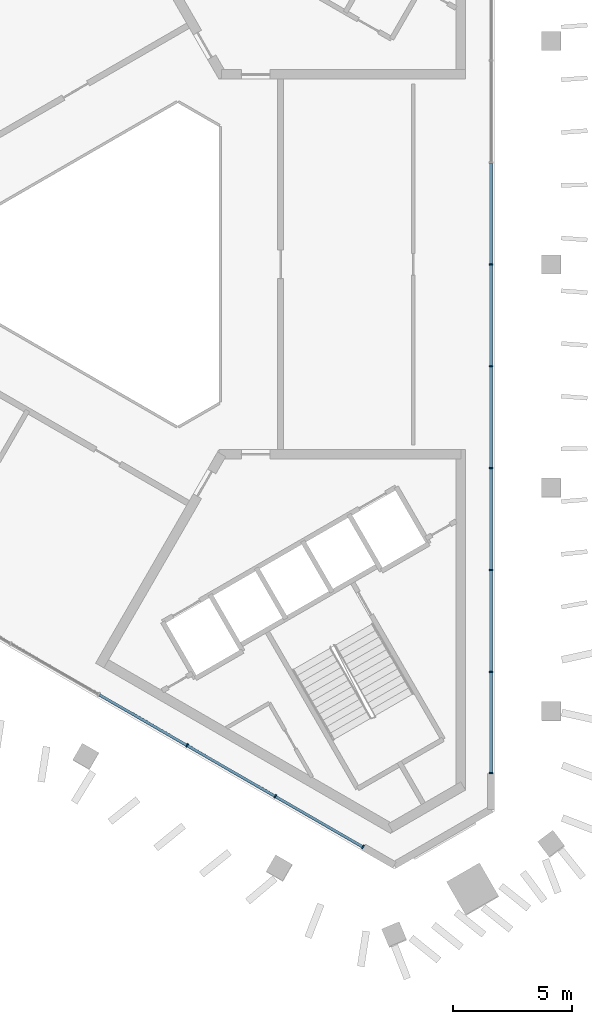
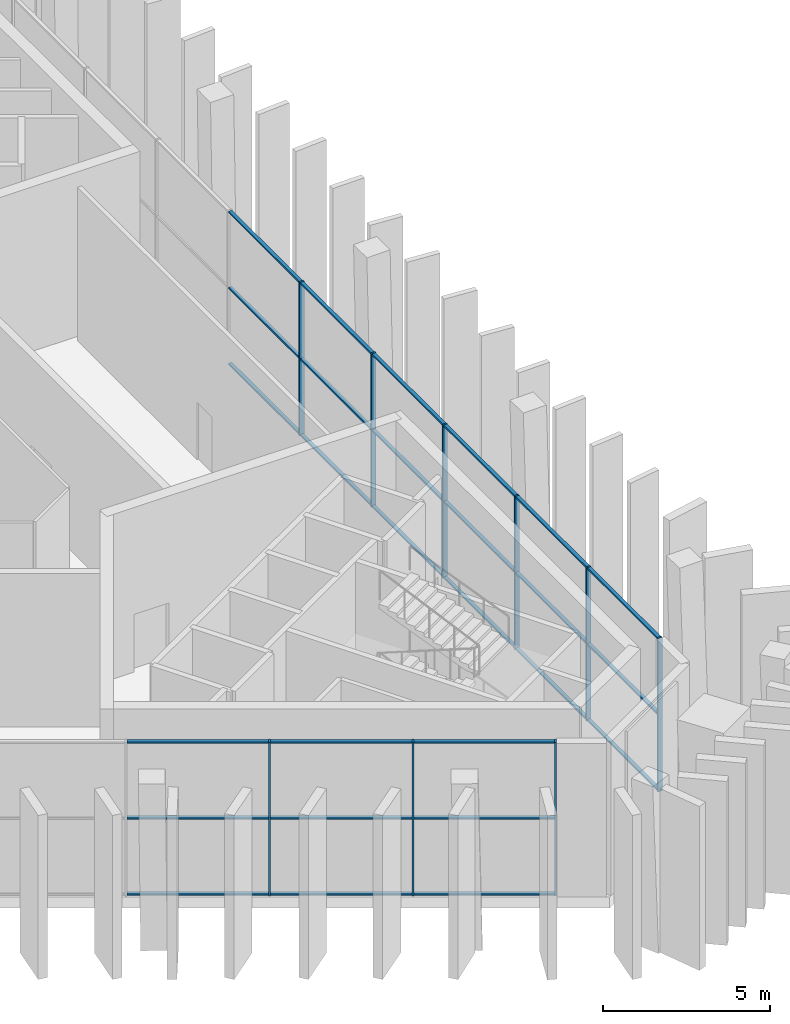
# One storey, part 3 of 12: 36 members, 2 elements without a shape of their own.
"""IFC4 building model written with IfcOpenShell, lengths in metres."""

from ifc_helpers import new_model, si_unit, direction, frame, origin, origin_2d, place, context, subcontext, project, spatial, rectangle, extrude, material, layer, layer_set, material_profile, profile_set, type_object, element, aggregate, save


model = new_model("IFC4")

# Units and contexts
model_context = context("Model", 3, precision=1e-05, world=origin(), true_north=direction((0.0, 1.0)))
body_context = subcontext(model_context, "Body", "Model", "MODEL_VIEW")
ifc_project = project(units=[si_unit("LENGTHUNIT", "METRE"), si_unit("AREAUNIT", "SQUARE_METRE"), si_unit("VOLUMEUNIT", "CUBIC_METRE"), si_unit("PLANEANGLEUNIT", "RADIAN"), si_unit("MASSUNIT", "GRAM", prefix="KILO")], contexts=[model_context])

# Site, building, storey
site_placement = place(None, origin())
site = spatial("IfcSite", under=ifc_project, at=site_placement, CompositionType="ELEMENT")
building_placement = place(site_placement, origin())
building = spatial("IfcBuilding", under=site, at=building_placement, Name="Jabali Bay Hotel Tower and Convention Centre", CompositionType="ELEMENT")
storey_placement = place(building_placement, frame((0.0, 0.0, 304.800048828125)))
storey = spatial("IfcBuildingStorey", under=building, at=storey_placement, Name="L75", CompositionType="ELEMENT", Elevation=304.800048828125)

# Curtain wall, members
ifc_material_1 = material(Name="Aluminium and glass", Category="aluminium")
ifc_layer = layer(ifc_material_1, 0.159912109375)
ifc_layer_set = layer_set([ifc_layer], Name="Aluminium and glass")
curtain_wall_type = type_object("IfcCurtainWallType", Name="CW3 curtain wall", PredefinedType="NOTDEFINED", material=ifc_layer_set)
curtain_wall_1_placement = place(storey_placement, origin())
curtain_wall_1 = element("IfcCurtainWall", 1, at=curtain_wall_1_placement, inside=storey, type_object=curtain_wall_type, Name="CW3 curtain wall east face L75", PredefinedType="NOTDEFINED")
ifc_material_2 = material(Name="Aluminium", Category="aluminium")
ifc_material_profile_1 = material_profile(ifc_material_2, rectangle(XDim=0.159912109375, YDim=0.06005859375, at=origin_2d()), Name="CW3 mullion 60 x 160")
ifc_profile_set_1 = profile_set([ifc_material_profile_1], Name="Aluminium")
member_type_1 = type_object("IfcMemberType", Name="CW3 mullion 60 x 160", PredefinedType="MULLION", material=ifc_profile_set_1)
member_1_placement = place(storey_placement, frame((90.9521484375, 80.0, 0.0), z_axis=(0.0, 0.0, 1.0), x_axis=(1.0, 0.0, 0.0)))
member_1 = element("IfcMember", 2, at=member_1_placement, type_object=member_type_1, Name="CW3 mullion 6", PredefinedType="MULLION", context=body_context, shape_type="SweptSolid", body=[
    extrude(rectangle(XDim=0.159912109375, YDim=0.06005859375, at=origin_2d()), origin(), (0.0, 0.0, 1.0), 5.599853515625),
])
member_2_placement = place(storey_placement, frame((90.9521484375, 75.71240234375, 0.0), z_axis=(0.0, 0.0, 1.0), x_axis=(1.0, 0.0, 0.0)))
member_2 = element("IfcMember", 3, at=member_2_placement, type_object=member_type_1, Name="CW3 mullion 7", PredefinedType="MULLION", context=body_context, shape_type="SweptSolid", body=[
    extrude(rectangle(XDim=0.159912109375, YDim=0.06005859375, at=origin_2d()), origin(), (0.0, 0.0, 1.0), 5.599853515625),
])
member_3_placement = place(storey_placement, frame((90.9521484375, 71.425048828125, 0.0), z_axis=(0.0, 0.0, 1.0), x_axis=(1.0, 0.0, 0.0)))
member_3 = element("IfcMember", 4, at=member_3_placement, type_object=member_type_1, Name="CW3 mullion 8", PredefinedType="MULLION", context=body_context, shape_type="SweptSolid", body=[
    extrude(rectangle(XDim=0.159912109375, YDim=0.06005859375, at=origin_2d()), origin(), (0.0, 0.0, 1.0), 5.599853515625),
])
member_4_placement = place(storey_placement, frame((90.9521484375, 67.137451171875, 0.0), z_axis=(0.0, 0.0, 1.0), x_axis=(1.0, 0.0, 0.0)))
member_4 = element("IfcMember", 5, at=member_4_placement, type_object=member_type_1, Name="CW3 mullion 9", PredefinedType="MULLION", context=body_context, shape_type="SweptSolid", body=[
    extrude(rectangle(XDim=0.159912109375, YDim=0.06005859375, at=origin_2d()), origin(), (0.0, 0.0, 1.0), 5.599853515625),
])
member_5_placement = place(storey_placement, frame((90.9521484375, 62.849853515625, 0.0), z_axis=(0.0, 0.0, 1.0), x_axis=(1.0, 0.0, 0.0)))
member_5 = element("IfcMember", 6, at=member_5_placement, type_object=member_type_1, Name="CW3 mullion 10", PredefinedType="MULLION", context=body_context, shape_type="SweptSolid", body=[
    extrude(rectangle(XDim=0.159912109375, YDim=0.06005859375, at=origin_2d()), origin(), (0.0, 0.0, 1.0), 5.599853515625),
])
member_6_placement = place(storey_placement, frame((90.9521484375, 58.592529296875, 0.0), z_axis=(0.0, 0.0, 1.0), x_axis=(1.0, 0.0, 0.0)))
member_6 = element("IfcMember", 7, at=member_6_placement, type_object=member_type_1, Name="CW3 mullion 11", PredefinedType="MULLION", context=body_context, shape_type="SweptSolid", body=[
    extrude(rectangle(XDim=0.159912109375, YDim=0.06005859375, at=origin_2d()), origin(), (0.0, 0.0, 1.0), 5.599853515625),
])

curtain_wall_2_placement = place(storey_placement, origin())
curtain_wall_2 = element("IfcCurtainWall", 8, at=curtain_wall_2_placement, inside=storey, type_object=curtain_wall_type, Name="CW3 curtain wall south-west face L75", PredefinedType="NOTDEFINED")
member_7_placement = place(storey_placement, frame((85.5634765625, 55.481201171875, 0.0), z_axis=(0.0, 0.0, 1.0), x_axis=(-0.500000013347, -0.866025396079, 0.0)))
member_7 = element("IfcMember", 9, at=member_7_placement, type_object=member_type_1, Name="CW3 mullion 1", PredefinedType="MULLION", context=body_context, shape_type="SweptSolid", body=[
    extrude(rectangle(XDim=0.159912109375, YDim=0.06005859375, at=origin_2d()), origin(), (0.0, 0.0, 1.0), 5.599853515625),
])
member_8_placement = place(storey_placement, frame((81.87646484375, 57.610107421875, 0.0), z_axis=(0.0, 0.0, 1.0), x_axis=(-0.500000013347, -0.866025396079, 0.0)))
member_8 = element("IfcMember", 10, at=member_8_placement, type_object=member_type_1, Name="CW3 mullion 2", PredefinedType="MULLION", context=body_context, shape_type="SweptSolid", body=[
    extrude(rectangle(XDim=0.159912109375, YDim=0.06005859375, at=origin_2d()), origin(), (0.0, 0.0, 1.0), 5.599853515625),
])
member_9_placement = place(storey_placement, frame((78.163330078125, 59.75390625, 0.0), z_axis=(0.0, 0.0, 1.0), x_axis=(-0.500000013347, -0.866025396079, 0.0)))
member_9 = element("IfcMember", 11, at=member_9_placement, type_object=member_type_1, Name="CW3 mullion 3", PredefinedType="MULLION", context=body_context, shape_type="SweptSolid", body=[
    extrude(rectangle(XDim=0.159912109375, YDim=0.06005859375, at=origin_2d()), origin(), (0.0, 0.0, 1.0), 5.599853515625),
])

# Member
ifc_material_profile_2 = material_profile(ifc_material_2, rectangle(XDim=0.1201171875, YDim=0.06005859375, at=origin_2d()), Name="CW3 transom 60 x 120")
ifc_profile_set_2 = profile_set([ifc_material_profile_2], Name="Aluminium")
member_type_2 = type_object("IfcMemberType", Name="CW3 transom 60 x 120", PredefinedType="USERDEFINED", material=ifc_profile_set_2)
member_10_placement = place(storey_placement, frame((90.9521484375, 84.257568359375, 0.030029296875), z_axis=(0.0, -1.0, 0.0), x_axis=(1.0, 0.0, 0.0)))
member_10 = element("IfcMember", 12, at=member_10_placement, type_object=member_type_2, Name="CW3 transom 5.1", ObjectType="TRANSOM", PredefinedType="USERDEFINED", context=body_context, shape_type="SweptSolid", body=[
    extrude(rectangle(XDim=0.1201171875, YDim=0.06005859375, at=origin_2d()), origin(), (0.0, 0.0, 1.0), 4.2275390625),
])

member_11_placement = place(storey_placement, frame((90.9521484375, 84.257568359375, 2.800048828125), z_axis=(0.0, -1.0, 0.0), x_axis=(1.0, 0.0, 0.0)))
member_11 = element("IfcMember", 13, at=member_11_placement, type_object=member_type_2, Name="CW3 transom 5.2", ObjectType="TRANSOM", PredefinedType="USERDEFINED", context=body_context, shape_type="SweptSolid", body=[
    extrude(rectangle(XDim=0.1201171875, YDim=0.06005859375, at=origin_2d()), origin(), (0.0, 0.0, 1.0), 4.2275390625),
])

member_12_placement = place(storey_placement, frame((90.9521484375, 84.257568359375, 5.570068359375), z_axis=(0.0, -1.0, 0.0), x_axis=(1.0, 0.0, 0.0)))
member_12 = element("IfcMember", 14, at=member_12_placement, type_object=member_type_2, Name="CW3 transom 5.3", ObjectType="TRANSOM", PredefinedType="USERDEFINED", context=body_context, shape_type="SweptSolid", body=[
    extrude(rectangle(XDim=0.1201171875, YDim=0.06005859375, at=origin_2d()), origin(), (0.0, 0.0, 1.0), 4.2275390625),
])

member_13_placement = place(storey_placement, frame((90.9521484375, 79.969970703125, 0.030029296875), z_axis=(0.0, -1.0, 0.0), x_axis=(1.0, 0.0, 0.0)))
member_13 = element("IfcMember", 15, at=member_13_placement, type_object=member_type_2, Name="CW3 transom 6.1", ObjectType="TRANSOM", PredefinedType="USERDEFINED", context=body_context, shape_type="SweptSolid", body=[
    extrude(rectangle(XDim=0.1201171875, YDim=0.06005859375, at=origin_2d()), origin(), (0.0, 0.0, 1.0), 4.2275390625),
])

member_14_placement = place(storey_placement, frame((90.9521484375, 79.969970703125, 2.800048828125), z_axis=(0.0, -1.0, 0.0), x_axis=(1.0, 0.0, 0.0)))
member_14 = element("IfcMember", 16, at=member_14_placement, type_object=member_type_2, Name="CW3 transom 6.2", ObjectType="TRANSOM", PredefinedType="USERDEFINED", context=body_context, shape_type="SweptSolid", body=[
    extrude(rectangle(XDim=0.1201171875, YDim=0.06005859375, at=origin_2d()), origin(), (0.0, 0.0, 1.0), 4.2275390625),
])

member_15_placement = place(storey_placement, frame((90.9521484375, 79.969970703125, 5.570068359375), z_axis=(0.0, -1.0, 0.0), x_axis=(1.0, 0.0, 0.0)))
member_15 = element("IfcMember", 17, at=member_15_placement, type_object=member_type_2, Name="CW3 transom 6.3", ObjectType="TRANSOM", PredefinedType="USERDEFINED", context=body_context, shape_type="SweptSolid", body=[
    extrude(rectangle(XDim=0.1201171875, YDim=0.06005859375, at=origin_2d()), origin(), (0.0, 0.0, 1.0), 4.2275390625),
])

member_16_placement = place(storey_placement, frame((90.9521484375, 75.682373046875, 0.030029296875), z_axis=(0.0, -1.0, 0.0), x_axis=(1.0, 0.0, 0.0)))
member_16 = element("IfcMember", 18, at=member_16_placement, type_object=member_type_2, Name="CW3 transom 7.1", ObjectType="TRANSOM", PredefinedType="USERDEFINED", context=body_context, shape_type="SweptSolid", body=[
    extrude(rectangle(XDim=0.1201171875, YDim=0.06005859375, at=origin_2d()), origin(), (0.0, 0.0, 1.0), 4.227294921875),
])

member_17_placement = place(storey_placement, frame((90.9521484375, 75.682373046875, 2.800048828125), z_axis=(0.0, -1.0, 0.0), x_axis=(1.0, 0.0, 0.0)))
member_17 = element("IfcMember", 19, at=member_17_placement, type_object=member_type_2, Name="CW3 transom 7.2", ObjectType="TRANSOM", PredefinedType="USERDEFINED", context=body_context, shape_type="SweptSolid", body=[
    extrude(rectangle(XDim=0.1201171875, YDim=0.06005859375, at=origin_2d()), origin(), (0.0, 0.0, 1.0), 4.227294921875),
])

member_18_placement = place(storey_placement, frame((90.9521484375, 75.682373046875, 5.570068359375), z_axis=(0.0, -1.0, 0.0), x_axis=(1.0, 0.0, 0.0)))
member_18 = element("IfcMember", 20, at=member_18_placement, type_object=member_type_2, Name="CW3 transom 7.3", ObjectType="TRANSOM", PredefinedType="USERDEFINED", context=body_context, shape_type="SweptSolid", body=[
    extrude(rectangle(XDim=0.1201171875, YDim=0.06005859375, at=origin_2d()), origin(), (0.0, 0.0, 1.0), 4.227294921875),
])

member_19_placement = place(storey_placement, frame((90.9521484375, 71.39501953125, 0.030029296875), z_axis=(0.0, -1.0, 0.0), x_axis=(1.0, 0.0, 0.0)))
member_19 = element("IfcMember", 21, at=member_19_placement, type_object=member_type_2, Name="CW3 transom 8.1", ObjectType="TRANSOM", PredefinedType="USERDEFINED", context=body_context, shape_type="SweptSolid", body=[
    extrude(rectangle(XDim=0.1201171875, YDim=0.06005859375, at=origin_2d()), origin(), (0.0, 0.0, 1.0), 4.2275390625),
])

member_20_placement = place(storey_placement, frame((90.9521484375, 71.39501953125, 2.800048828125), z_axis=(0.0, -1.0, 0.0), x_axis=(1.0, 0.0, 0.0)))
member_20 = element("IfcMember", 22, at=member_20_placement, type_object=member_type_2, Name="CW3 transom 8.2", ObjectType="TRANSOM", PredefinedType="USERDEFINED", context=body_context, shape_type="SweptSolid", body=[
    extrude(rectangle(XDim=0.1201171875, YDim=0.06005859375, at=origin_2d()), origin(), (0.0, 0.0, 1.0), 4.2275390625),
])

member_21_placement = place(storey_placement, frame((90.9521484375, 71.39501953125, 5.570068359375), z_axis=(0.0, -1.0, 0.0), x_axis=(1.0, 0.0, 0.0)))
member_21 = element("IfcMember", 23, at=member_21_placement, type_object=member_type_2, Name="CW3 transom 8.3", ObjectType="TRANSOM", PredefinedType="USERDEFINED", context=body_context, shape_type="SweptSolid", body=[
    extrude(rectangle(XDim=0.1201171875, YDim=0.06005859375, at=origin_2d()), origin(), (0.0, 0.0, 1.0), 4.2275390625),
])

member_22_placement = place(storey_placement, frame((90.9521484375, 67.107421875, 0.030029296875), z_axis=(0.0, -1.0, 0.0), x_axis=(1.0, 0.0, 0.0)))
member_22 = element("IfcMember", 24, at=member_22_placement, type_object=member_type_2, Name="CW3 transom 9.1", ObjectType="TRANSOM", PredefinedType="USERDEFINED", context=body_context, shape_type="SweptSolid", body=[
    extrude(rectangle(XDim=0.1201171875, YDim=0.06005859375, at=origin_2d()), origin(), (0.0, 0.0, 1.0), 4.2275390625),
])

member_23_placement = place(storey_placement, frame((90.9521484375, 67.107421875, 2.800048828125), z_axis=(0.0, -1.0, 0.0), x_axis=(1.0, 0.0, 0.0)))
member_23 = element("IfcMember", 25, at=member_23_placement, type_object=member_type_2, Name="CW3 transom 9.2", ObjectType="TRANSOM", PredefinedType="USERDEFINED", context=body_context, shape_type="SweptSolid", body=[
    extrude(rectangle(XDim=0.1201171875, YDim=0.06005859375, at=origin_2d()), origin(), (0.0, 0.0, 1.0), 4.2275390625),
])

member_24_placement = place(storey_placement, frame((90.9521484375, 67.107421875, 5.570068359375), z_axis=(0.0, -1.0, 0.0), x_axis=(1.0, 0.0, 0.0)))
member_24 = element("IfcMember", 26, at=member_24_placement, type_object=member_type_2, Name="CW3 transom 9.3", ObjectType="TRANSOM", PredefinedType="USERDEFINED", context=body_context, shape_type="SweptSolid", body=[
    extrude(rectangle(XDim=0.1201171875, YDim=0.06005859375, at=origin_2d()), origin(), (0.0, 0.0, 1.0), 4.2275390625),
])

member_25_placement = place(storey_placement, frame((90.9521484375, 62.81982421875, 0.030029296875), z_axis=(0.0, -1.0, 0.0), x_axis=(1.0, 0.0, 0.0)))
member_25 = element("IfcMember", 27, at=member_25_placement, type_object=member_type_2, Name="CW3 transom 10.1", ObjectType="TRANSOM", PredefinedType="USERDEFINED", context=body_context, shape_type="SweptSolid", body=[
    extrude(rectangle(XDim=0.1201171875, YDim=0.06005859375, at=origin_2d()), origin(), (0.0, 0.0, 1.0), 4.197509765625),
])

member_26_placement = place(storey_placement, frame((90.9521484375, 62.81982421875, 2.800048828125), z_axis=(0.0, -1.0, 0.0), x_axis=(1.0, 0.0, 0.0)))
member_26 = element("IfcMember", 28, at=member_26_placement, type_object=member_type_2, Name="CW3 transom 10.2", ObjectType="TRANSOM", PredefinedType="USERDEFINED", context=body_context, shape_type="SweptSolid", body=[
    extrude(rectangle(XDim=0.1201171875, YDim=0.06005859375, at=origin_2d()), origin(), (0.0, 0.0, 1.0), 4.197509765625),
])

member_27_placement = place(storey_placement, frame((90.9521484375, 62.81982421875, 5.570068359375), z_axis=(0.0, -1.0, 0.0), x_axis=(1.0, 0.0, 0.0)))
member_27 = element("IfcMember", 29, at=member_27_placement, type_object=member_type_2, Name="CW3 transom 10.3", ObjectType="TRANSOM", PredefinedType="USERDEFINED", context=body_context, shape_type="SweptSolid", body=[
    extrude(rectangle(XDim=0.1201171875, YDim=0.06005859375, at=origin_2d()), origin(), (0.0, 0.0, 1.0), 4.197509765625),
])

aggregate(curtain_wall_1, [member_1, member_2, member_3, member_4, member_5, member_6, member_10, member_11, member_12, member_13, member_14, member_15, member_16, member_17, member_18, member_19, member_20, member_21, member_22, member_23, member_24, member_25, member_26, member_27])

member_28_placement = place(storey_placement, frame((85.53759765625, 55.496337890625, 0.030029296875), z_axis=(-0.866044178973, 0.499967479009, 0.0), x_axis=(-0.499967479009, -0.866044178973, 0.0)))
member_28 = element("IfcMember", 30, at=member_28_placement, type_object=member_type_2, Name="CW3 transom 1.1", ObjectType="TRANSOM", PredefinedType="USERDEFINED", context=body_context, shape_type="SweptSolid", body=[
    extrude(rectangle(XDim=0.1201171875, YDim=0.06005859375, at=origin_2d()), origin(), (0.0, 0.0, 1.0), 4.197509765625),
])

member_29_placement = place(storey_placement, frame((85.53759765625, 55.496337890625, 2.800048828125), z_axis=(-0.866044178973, 0.499967479009, 0.0), x_axis=(-0.499967479009, -0.866044178973, 0.0)))
member_29 = element("IfcMember", 31, at=member_29_placement, type_object=member_type_2, Name="CW3 transom 1.2", ObjectType="TRANSOM", PredefinedType="USERDEFINED", context=body_context, shape_type="SweptSolid", body=[
    extrude(rectangle(XDim=0.1201171875, YDim=0.06005859375, at=origin_2d()), origin(), (0.0, 0.0, 1.0), 4.197509765625),
])

member_30_placement = place(storey_placement, frame((85.53759765625, 55.496337890625, 5.570068359375), z_axis=(-0.866044178973, 0.499967479009, 0.0), x_axis=(-0.499967479009, -0.866044178973, 0.0)))
member_30 = element("IfcMember", 32, at=member_30_placement, type_object=member_type_2, Name="CW3 transom 1.3", ObjectType="TRANSOM", PredefinedType="USERDEFINED", context=body_context, shape_type="SweptSolid", body=[
    extrude(rectangle(XDim=0.1201171875, YDim=0.06005859375, at=origin_2d()), origin(), (0.0, 0.0, 1.0), 4.197509765625),
])

member_31_placement = place(storey_placement, frame((81.850341796875, 57.625, 0.030029296875), z_axis=(-0.866024019333, 0.500002397932, 0.0), x_axis=(-0.500002397932, -0.866024019333, 0.0)))
member_31 = element("IfcMember", 33, at=member_31_placement, type_object=member_type_2, Name="CW3 transom 2.1", ObjectType="TRANSOM", PredefinedType="USERDEFINED", context=body_context, shape_type="SweptSolid", body=[
    extrude(rectangle(XDim=0.1201171875, YDim=0.06005859375, at=origin_2d()), origin(), (0.0, 0.0, 1.0), 4.2275390625),
])

member_32_placement = place(storey_placement, frame((81.850341796875, 57.625, 2.800048828125), z_axis=(-0.866024019333, 0.500002397932, 0.0), x_axis=(-0.500002397932, -0.866024019333, 0.0)))
member_32 = element("IfcMember", 34, at=member_32_placement, type_object=member_type_2, Name="CW3 transom 2.2", ObjectType="TRANSOM", PredefinedType="USERDEFINED", context=body_context, shape_type="SweptSolid", body=[
    extrude(rectangle(XDim=0.1201171875, YDim=0.06005859375, at=origin_2d()), origin(), (0.0, 0.0, 1.0), 4.2275390625),
])

member_33_placement = place(storey_placement, frame((81.850341796875, 57.625, 5.570068359375), z_axis=(-0.866024019333, 0.500002397932, 0.0), x_axis=(-0.500002397932, -0.866024019333, 0.0)))
member_33 = element("IfcMember", 35, at=member_33_placement, type_object=member_type_2, Name="CW3 transom 2.3", ObjectType="TRANSOM", PredefinedType="USERDEFINED", context=body_context, shape_type="SweptSolid", body=[
    extrude(rectangle(XDim=0.1201171875, YDim=0.06005859375, at=origin_2d()), origin(), (0.0, 0.0, 1.0), 4.2275390625),
])

member_34_placement = place(storey_placement, frame((78.13720703125, 59.768798828125, 0.030029296875), z_axis=(-0.866024019333, 0.500002397932, 0.0), x_axis=(-0.500002397932, -0.866024019333, 0.0)))
member_34 = element("IfcMember", 36, at=member_34_placement, type_object=member_type_2, Name="CW3 transom 3.1", ObjectType="TRANSOM", PredefinedType="USERDEFINED", context=body_context, shape_type="SweptSolid", body=[
    extrude(rectangle(XDim=0.1201171875, YDim=0.06005859375, at=origin_2d()), origin(), (0.0, 0.0, 1.0), 4.2275390625),
])

member_35_placement = place(storey_placement, frame((78.13720703125, 59.768798828125, 2.800048828125), z_axis=(-0.866024019333, 0.500002397932, 0.0), x_axis=(-0.500002397932, -0.866024019333, 0.0)))
member_35 = element("IfcMember", 37, at=member_35_placement, type_object=member_type_2, Name="CW3 transom 3.2", ObjectType="TRANSOM", PredefinedType="USERDEFINED", context=body_context, shape_type="SweptSolid", body=[
    extrude(rectangle(XDim=0.1201171875, YDim=0.06005859375, at=origin_2d()), origin(), (0.0, 0.0, 1.0), 4.2275390625),
])

member_36_placement = place(storey_placement, frame((78.13720703125, 59.768798828125, 5.570068359375), z_axis=(-0.866024019333, 0.500002397932, 0.0), x_axis=(-0.500002397932, -0.866024019333, 0.0)))
member_36 = element("IfcMember", 38, at=member_36_placement, type_object=member_type_2, Name="CW3 transom 3.3", ObjectType="TRANSOM", PredefinedType="USERDEFINED", context=body_context, shape_type="SweptSolid", body=[
    extrude(rectangle(XDim=0.1201171875, YDim=0.06005859375, at=origin_2d()), origin(), (0.0, 0.0, 1.0), 4.2275390625),
])

aggregate(curtain_wall_2, [member_7, member_8, member_9, member_28, member_29, member_30, member_31, member_32, member_33, member_34, member_35, member_36])

save(model, "model.ifc")
